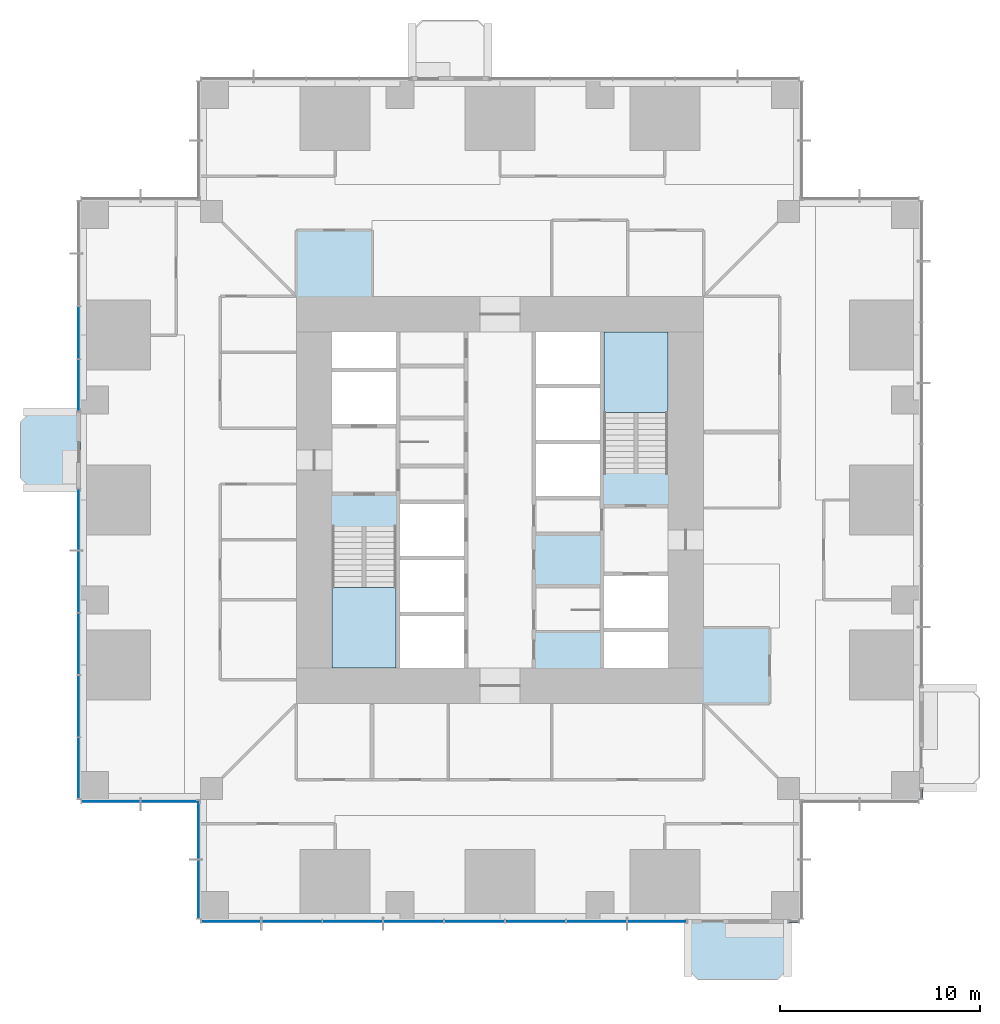
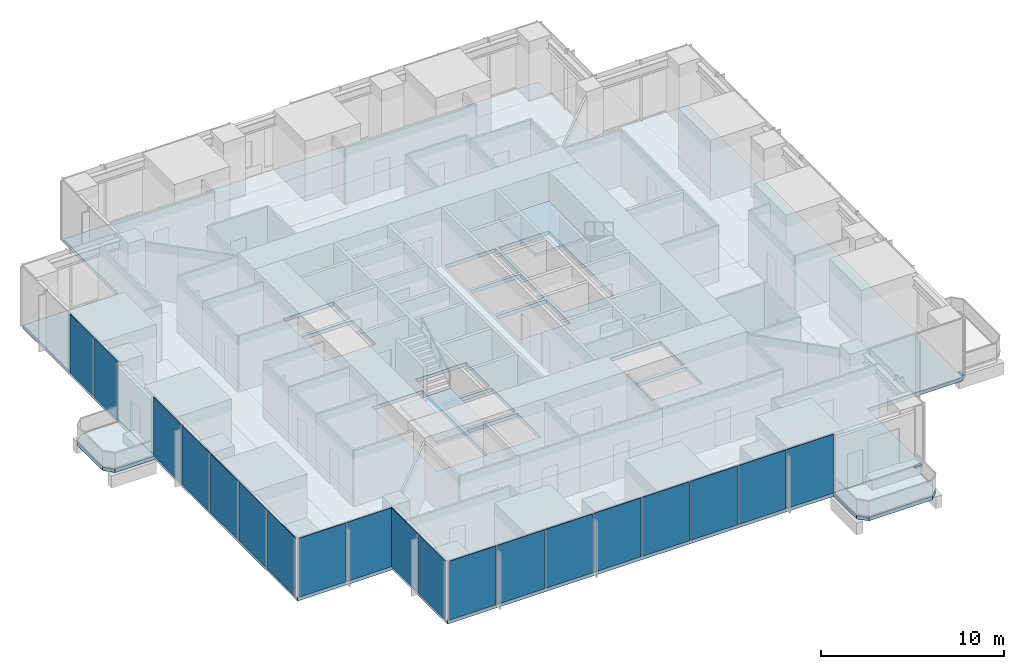
# One storey, part 7 of 15: 19 plates, 5 slabs, 2 members, 9 elements without a shape of their own.
"""IFC4 building model written with IfcOpenShell, lengths in metres."""

from ifc_helpers import new_model, si_unit, direction, frame, origin, origin_2d, place, context, subcontext, project, spatial, polyline, rectangle, outline, extrude, material, layer, layer_set, material_profile, profile_set, type_object, element, aggregate, save


model = new_model("IFC4")

# Units and contexts
model_context = context("Model", 3, precision=1e-05, world=origin(), true_north=direction((0.0, 1.0)))
body_context = subcontext(model_context, "Body", "Model", "MODEL_VIEW")
ifc_project = project(units=[si_unit("LENGTHUNIT", "METRE"), si_unit("AREAUNIT", "SQUARE_METRE"), si_unit("VOLUMEUNIT", "CUBIC_METRE"), si_unit("PLANEANGLEUNIT", "RADIAN"), si_unit("MASSUNIT", "GRAM", prefix="KILO")], contexts=[model_context])

# Site, building, storey
site_placement = place(None, origin())
site = spatial("IfcSite", under=ifc_project, at=site_placement, CompositionType="ELEMENT")
building_placement = place(site_placement, origin())
building = spatial("IfcBuilding", under=site, at=building_placement, Name="Svetlomir Tower", CompositionType="ELEMENT")
storey_placement = place(building_placement, frame((0.0, 0.0, 74.5)))
storey = spatial("IfcBuildingStorey", under=building, at=storey_placement, Name="L17", CompositionType="ELEMENT", Elevation=74.5)

# Curtain wall, member
ifc_material_1 = material(Name="Bronze anodised aluminium curtain wall", Category="aluminium")
curtain_wall_type = type_object("IfcCurtainWallType", Name="CURTAIN WALL CW1 TOWER OFFICE", PredefinedType="NOTDEFINED", material=ifc_material_1)
curtain_wall_1_placement = place(storey_placement, origin())
curtain_wall_1 = element("IfcCurtainWall", 1, at=curtain_wall_1_placement, inside=storey, type_object=curtain_wall_type, Name="Curtain wall CW1 L17", PredefinedType="NOTDEFINED")
ifc_material_2 = material(Name="Bronze anodised aluminium", Category="aluminium")
ifc_material_profile = material_profile(ifc_material_2, rectangle(XDim=0.139892578125, YDim=0.06494140625, at=origin_2d()), Name="AL 140x65")
ifc_profile_set = profile_set([ifc_material_profile], Name="Bronze anodised aluminium 6063-T6")
member_type = type_object("IfcMemberType", Name="CW1 TRANSOM 65x140", PredefinedType="USERDEFINED", material=ifc_profile_set)
member_1_placement = place(storey_placement, frame((35.465087890625, -0.10009765625, 0.032470703125), z_axis=(1.0, 0.0, 0.0), x_axis=(0.0, 1.0, 0.0)))
member_1 = element("IfcMember", 2, at=member_1_placement, type_object=member_type, Name="CW1 transom 1.1", ObjectType="TRANSOM", PredefinedType="USERDEFINED", context=body_context, shape_type="SweptSolid", body=[
    extrude(rectangle(XDim=0.139892578125, YDim=0.06494140625, at=origin_2d()), origin(), (0.0, 0.0, 1.0), 0.469970703125),
])
aggregate(curtain_wall_1, [member_1])

curtain_wall_2_placement = place(storey_placement, origin())
curtain_wall_2 = element("IfcCurtainWall", 3, at=curtain_wall_2_placement, inside=storey, type_object=curtain_wall_type, Name="Curtain wall CW1 L17", PredefinedType="NOTDEFINED")
member_2_placement = place(storey_placement, frame((42.10009765625, 6.06494140625, 0.032470703125), z_axis=(0.0, 1.0, 0.0), x_axis=(-1.0, 0.0, 0.0)))
member_2 = element("IfcMember", 4, at=member_2_placement, type_object=member_type, Name="CW1 transom 1.1", ObjectType="TRANSOM", PredefinedType="USERDEFINED", context=body_context, shape_type="SweptSolid", body=[
    extrude(rectangle(XDim=0.139892578125, YDim=0.06494140625, at=origin_2d()), origin(), (0.0, 0.0, 1.0), 0.469970703125),
])
aggregate(curtain_wall_2, [member_2])

# Slabs
ifc_material_3 = material(Name="Concrete C60/75", Category="concrete")
ifc_layer_1 = layer(ifc_material_3, 0.25)
ifc_layer_set_1 = layer_set([ifc_layer_1], Name="Concrete C60/75")
slab_type_1 = type_object("IfcSlabType", Name="BALCONY SLAB 250", PredefinedType="FLOOR", material=ifc_layer_set_1)
slab_1_placement = place(storey_placement, frame((0.0, 0.0, -0.25)))
element("IfcSlab", 5, at=slab_1_placement, inside=storey, type_object=slab_type_1, Name="L17 S planted balcony", PredefinedType="FLOOR", context=body_context, shape_type="SweptSolid", body=[
    extrude(outline(polyline([(30.39990234375, -2.5), (30.89990234375, -3.0), (34.89990234375, -3.0), (35.39990234375, -2.5), (35.39990234375, 0.0), (30.39990234375, 0.0), (30.39990234375, -2.5)])), origin(), (0.0, 0.0, 1.0), 0.25),
])
slab_2_placement = place(storey_placement, frame((0.0, 0.0, -0.25)))
element("IfcSlab", 6, at=slab_2_placement, inside=storey, type_object=slab_type_1, Name="L17 W planted balcony", PredefinedType="FLOOR", context=body_context, shape_type="SweptSolid", body=[
    extrude(outline(polyline([(-2.5, 21.60009765625), (0.0, 21.60009765625), (0.0, 25.39990234375), (-2.5, 25.39990234375), (-3.0, 24.89990234375), (-3.0, 22.10009765625), (-2.5, 21.60009765625)])), origin(), (0.0, 0.0, 1.0), 0.25),
])

# Curtain wall, plates
curtain_wall_3_placement = place(storey_placement, origin())
curtain_wall_3 = element("IfcCurtainWall", 7, at=curtain_wall_3_placement, inside=storey, type_object=curtain_wall_type, Name="Curtain wall CW1 L17", PredefinedType="NOTDEFINED")
ifc_material_4 = material(Name="Tinted double glazed unit", Category="glass")
ifc_layer_2 = layer(ifc_material_4, 0.031982421875)
ifc_layer_set_2 = layer_set([ifc_layer_2], Name="Tinted double glazed unit")
plate_type = type_object("IfcPlateType", Name="CW1 GLAZED PANEL 32", PredefinedType="CURTAIN_PANEL", material=ifc_layer_set_2)
plate_1_placement = place(storey_placement, frame((7.541259765625, -0.10009765625, 0.06494140625), z_axis=(0.0, 0.0, 1.0), x_axis=(1.0, 0.0, 0.0)))
plate_1 = element("IfcPlate", 8, at=plate_1_placement, type_object=plate_type, Name="CW1 panel 1.1", PredefinedType="CURTAIN_PANEL", context=body_context, shape_type="SweptSolid", body=[
    extrude(rectangle(XDim=2.952392578125, YDim=0.031982421875, at=origin_2d()), origin(), (0.0, 0.0, 1.0), 3.93505859375),
])
plate_2_placement = place(storey_placement, frame((10.574951171875, -0.10009765625, 0.06494140625), z_axis=(0.0, 0.0, 1.0), x_axis=(1.0, 0.0, 0.0)))
plate_2 = element("IfcPlate", 9, at=plate_2_placement, type_object=plate_type, Name="CW1 panel 2.1", PredefinedType="CURTAIN_PANEL", context=body_context, shape_type="SweptSolid", body=[
    extrude(rectangle(XDim=2.985107421875, YDim=0.031982421875, at=origin_2d()), origin(), (0.0, 0.0, 1.0), 3.93505859375),
])
plate_3_placement = place(storey_placement, frame((13.625, -0.10009765625, 0.06494140625), z_axis=(0.0, 0.0, 1.0), x_axis=(1.0, 0.0, 0.0)))
plate_3 = element("IfcPlate", 10, at=plate_3_placement, type_object=plate_type, Name="CW1 panel 3.1", PredefinedType="CURTAIN_PANEL", context=body_context, shape_type="SweptSolid", body=[
    extrude(rectangle(XDim=2.985107421875, YDim=0.031982421875, at=origin_2d()), origin(), (0.0, 0.0, 1.0), 3.93505859375),
])
plate_4_placement = place(storey_placement, frame((16.675048828125, -0.10009765625, 0.06494140625), z_axis=(0.0, 0.0, 1.0), x_axis=(1.0, 0.0, 0.0)))
plate_4 = element("IfcPlate", 11, at=plate_4_placement, type_object=plate_type, Name="CW1 panel 4.1", PredefinedType="CURTAIN_PANEL", context=body_context, shape_type="SweptSolid", body=[
    extrude(rectangle(XDim=2.985107421875, YDim=0.031982421875, at=origin_2d()), origin(), (0.0, 0.0, 1.0), 3.93505859375),
])
plate_5_placement = place(storey_placement, frame((19.72509765625, -0.10009765625, 0.06494140625), z_axis=(0.0, 0.0, 1.0), x_axis=(1.0, 0.0, 0.0)))
plate_5 = element("IfcPlate", 12, at=plate_5_placement, type_object=plate_type, Name="CW1 panel 5.1", PredefinedType="CURTAIN_PANEL", context=body_context, shape_type="SweptSolid", body=[
    extrude(rectangle(XDim=2.985107421875, YDim=0.031982421875, at=origin_2d()), origin(), (0.0, 0.0, 1.0), 3.93505859375),
])
plate_6_placement = place(storey_placement, frame((22.77490234375, -0.10009765625, 0.06494140625), z_axis=(0.0, 0.0, 1.0), x_axis=(1.0, 0.0, 0.0)))
plate_6 = element("IfcPlate", 13, at=plate_6_placement, type_object=plate_type, Name="CW1 panel 6.1", PredefinedType="CURTAIN_PANEL", context=body_context, shape_type="SweptSolid", body=[
    extrude(rectangle(XDim=2.985107421875, YDim=0.031982421875, at=origin_2d()), origin(), (0.0, 0.0, 1.0), 3.93505859375),
])
plate_7_placement = place(storey_placement, frame((25.824951171875, -0.10009765625, 0.06494140625), z_axis=(0.0, 0.0, 1.0), x_axis=(1.0, 0.0, 0.0)))
plate_7 = element("IfcPlate", 14, at=plate_7_placement, type_object=plate_type, Name="CW1 panel 7.1", PredefinedType="CURTAIN_PANEL", context=body_context, shape_type="SweptSolid", body=[
    extrude(rectangle(XDim=2.985107421875, YDim=0.031982421875, at=origin_2d()), origin(), (0.0, 0.0, 1.0), 3.93505859375),
])
plate_8_placement = place(storey_placement, frame((28.858642578125, -0.10009765625, 0.06494140625), z_axis=(0.0, 0.0, 1.0), x_axis=(1.0, 0.0, 0.0)))
plate_8 = element("IfcPlate", 15, at=plate_8_placement, type_object=plate_type, Name="CW1 panel 8.1", PredefinedType="CURTAIN_PANEL", context=body_context, shape_type="SweptSolid", body=[
    extrude(rectangle(XDim=2.952392578125, YDim=0.031982421875, at=origin_2d()), origin(), (0.0, 0.0, 1.0), 3.93505859375),
])
aggregate(curtain_wall_3, [plate_1, plate_2, plate_3, plate_4, plate_5, plate_6, plate_7, plate_8])

curtain_wall_4_placement = place(storey_placement, origin())
curtain_wall_4 = element("IfcCurtainWall", 16, at=curtain_wall_4_placement, inside=storey, type_object=curtain_wall_type, Name="Curtain wall CW1 L17", PredefinedType="NOTDEFINED")
plate_9_placement = place(storey_placement, frame((-0.10009765625, 29.375, 0.06494140625), z_axis=(0.0, 0.0, 1.0), x_axis=(0.0, -1.0, 0.0)))
plate_9 = element("IfcPlate", 17, at=plate_9_placement, type_object=plate_type, Name="CW1 panel 3.1", PredefinedType="CURTAIN_PANEL", context=body_context, shape_type="SweptSolid", body=[
    extrude(rectangle(XDim=2.5849609375, YDim=0.031982421875, at=origin_2d()), origin(), (0.0, 0.0, 1.0), 3.93505859375),
])
plate_10_placement = place(storey_placement, frame((-0.10009765625, 26.7412109375, 0.06494140625), z_axis=(0.0, 0.0, 1.0), x_axis=(0.0, -1.0, 0.0)))
plate_10 = element("IfcPlate", 18, at=plate_10_placement, type_object=plate_type, Name="CW1 panel 4.1", PredefinedType="CURTAIN_PANEL", context=body_context, shape_type="SweptSolid", body=[
    extrude(rectangle(XDim=2.552490234375, YDim=0.031982421875, at=origin_2d()), origin(), (0.0, 0.0, 1.0), 3.93505859375),
])
aggregate(curtain_wall_4, [plate_9, plate_10])

curtain_wall_5_placement = place(storey_placement, origin())
curtain_wall_5 = element("IfcCurtainWall", 19, at=curtain_wall_5_placement, inside=storey, type_object=curtain_wall_type, Name="Curtain wall CW1 L17", PredefinedType="NOTDEFINED")
plate_11_placement = place(storey_placement, frame((-0.10009765625, 20.023681640625, 0.06494140625), z_axis=(0.0, 0.0, 1.0), x_axis=(0.0, -1.0, 0.0)))
plate_11 = element("IfcPlate", 20, at=plate_11_placement, type_object=plate_type, Name="CW1 panel 1.1", PredefinedType="CURTAIN_PANEL", context=body_context, shape_type="SweptSolid", body=[
    extrude(rectangle(XDim=3.0224609375, YDim=0.031982421875, at=origin_2d()), origin(), (0.0, 0.0, 1.0), 3.93505859375),
])
plate_12_placement = place(storey_placement, frame((-0.10009765625, 16.919921875, 0.06494140625), z_axis=(0.0, 0.0, 1.0), x_axis=(0.0, -1.0, 0.0)))
plate_12 = element("IfcPlate", 21, at=plate_12_placement, type_object=plate_type, Name="CW1 panel 2.1", PredefinedType="CURTAIN_PANEL", context=body_context, shape_type="SweptSolid", body=[
    extrude(rectangle(XDim=3.054931640625, YDim=0.031982421875, at=origin_2d()), origin(), (0.0, 0.0, 1.0), 3.93505859375),
])
plate_13_placement = place(storey_placement, frame((-0.10009765625, 13.800048828125, 0.06494140625), z_axis=(0.0, 0.0, 1.0), x_axis=(0.0, -1.0, 0.0)))
plate_13 = element("IfcPlate", 22, at=plate_13_placement, type_object=plate_type, Name="CW1 panel 3.1", PredefinedType="CURTAIN_PANEL", context=body_context, shape_type="SweptSolid", body=[
    extrude(rectangle(XDim=3.054931640625, YDim=0.031982421875, at=origin_2d()), origin(), (0.0, 0.0, 1.0), 3.93505859375),
])
plate_14_placement = place(storey_placement, frame((-0.10009765625, 10.679931640625, 0.06494140625), z_axis=(0.0, 0.0, 1.0), x_axis=(0.0, -1.0, 0.0)))
plate_14 = element("IfcPlate", 23, at=plate_14_placement, type_object=plate_type, Name="CW1 panel 4.1", PredefinedType="CURTAIN_PANEL", context=body_context, shape_type="SweptSolid", body=[
    extrude(rectangle(XDim=3.054931640625, YDim=0.031982421875, at=origin_2d()), origin(), (0.0, 0.0, 1.0), 3.93505859375),
])
plate_15_placement = place(storey_placement, frame((-0.10009765625, 7.576171875, 0.06494140625), z_axis=(0.0, 0.0, 1.0), x_axis=(0.0, -1.0, 0.0)))
plate_15 = element("IfcPlate", 24, at=plate_15_placement, type_object=plate_type, Name="CW1 panel 5.1", PredefinedType="CURTAIN_PANEL", context=body_context, shape_type="SweptSolid", body=[
    extrude(rectangle(XDim=3.0224609375, YDim=0.031982421875, at=origin_2d()), origin(), (0.0, 0.0, 1.0), 3.93505859375),
])
aggregate(curtain_wall_5, [plate_11, plate_12, plate_13, plate_14, plate_15])

curtain_wall_6_placement = place(storey_placement, origin())
curtain_wall_6 = element("IfcCurtainWall", 25, at=curtain_wall_6_placement, inside=storey, type_object=curtain_wall_type, Name="Curtain wall CW1 L17", PredefinedType="NOTDEFINED")
plate_16_placement = place(storey_placement, frame((1.516357421875, 5.89990234375, 0.06494140625), z_axis=(0.0, 0.0, 1.0), x_axis=(1.0, 0.0, 0.0)))
plate_16 = element("IfcPlate", 26, at=plate_16_placement, type_object=plate_type, Name="CW1 panel 1.1", PredefinedType="CURTAIN_PANEL", context=body_context, shape_type="SweptSolid", body=[
    extrude(rectangle(XDim=2.902587890625, YDim=0.031982421875, at=origin_2d()), origin(), (0.0, 0.0, 1.0), 3.93505859375),
])
plate_17_placement = place(storey_placement, frame((4.483642578125, 5.89990234375, 0.06494140625), z_axis=(0.0, 0.0, 1.0), x_axis=(1.0, 0.0, 0.0)))
plate_17 = element("IfcPlate", 27, at=plate_17_placement, type_object=plate_type, Name="CW1 panel 2.1", PredefinedType="CURTAIN_PANEL", context=body_context, shape_type="SweptSolid", body=[
    extrude(rectangle(XDim=2.902587890625, YDim=0.031982421875, at=origin_2d()), origin(), (0.0, 0.0, 1.0), 3.93505859375),
])
aggregate(curtain_wall_6, [plate_16, plate_17])

curtain_wall_7_placement = place(storey_placement, origin())
curtain_wall_7 = element("IfcCurtainWall", 28, at=curtain_wall_7_placement, inside=storey, type_object=curtain_wall_type, Name="Curtain wall CW1 L17", PredefinedType="NOTDEFINED")
plate_18_placement = place(storey_placement, frame((5.89990234375, 4.483642578125, 0.06494140625), z_axis=(0.0, 0.0, 1.0), x_axis=(0.0, -1.0, 0.0)))
plate_18 = element("IfcPlate", 29, at=plate_18_placement, type_object=plate_type, Name="CW1 panel 1.1", PredefinedType="CURTAIN_PANEL", context=body_context, shape_type="SweptSolid", body=[
    extrude(rectangle(XDim=2.902587890625, YDim=0.031982421875, at=origin_2d()), origin(), (0.0, 0.0, 1.0), 3.93505859375),
])
plate_19_placement = place(storey_placement, frame((5.89990234375, 1.516357421875, 0.06494140625), z_axis=(0.0, 0.0, 1.0), x_axis=(0.0, -1.0, 0.0)))
plate_19 = element("IfcPlate", 30, at=plate_19_placement, type_object=plate_type, Name="CW1 panel 2.1", PredefinedType="CURTAIN_PANEL", context=body_context, shape_type="SweptSolid", body=[
    extrude(rectangle(XDim=2.902587890625, YDim=0.031982421875, at=origin_2d()), origin(), (0.0, 0.0, 1.0), 3.93505859375),
])
aggregate(curtain_wall_7, [plate_18, plate_19])

# Slab
ifc_material_5 = material(Name="Concrete C60/75", Category="concrete")
ifc_layer_3 = layer(ifc_material_5, 0.25)
ifc_layer_set_3 = layer_set([ifc_layer_3], Name="Concrete C60/75")
slab_type_2 = type_object("IfcSlabType", Name="FLOOR SLAB 250", PredefinedType="FLOOR", material=ifc_layer_set_3)
slab_3_placement = place(storey_placement, frame((0.0, 0.0, -0.25)))
element("IfcSlab", 31, at=slab_3_placement, inside=storey, type_object=slab_type_2, Name="L17 floor slab", PredefinedType="FLOOR", context=body_context, shape_type="SweptSolid", body=[
    extrude(outline(polyline([(6.0, 0.0), (36.0, 0.0), (36.0, 6.0), (42.0, 6.0), (42.0, 36.0), (36.0, 36.0), (36.0, 42.0), (6.0, 42.0), (6.0, 36.0), (0.0, 36.0), (0.0, 6.0), (6.0, 6.0), (6.0, 0.0)]), holes=[polyline([(12.60009765625, 24.800048828125), (15.800048828125, 24.800048828125), (15.800048828125, 27.39990234375), (12.60009765625, 27.39990234375), (12.60009765625, 24.800048828125)]), polyline([(26.199951171875, 14.60009765625), (29.39990234375, 14.60009765625), (29.39990234375, 17.199951171875), (26.199951171875, 17.199951171875), (26.199951171875, 14.60009765625)]), polyline([(16.0, 12.60009765625), (19.199951171875, 12.60009765625), (19.199951171875, 15.199951171875), (16.0, 15.199951171875), (16.0, 12.60009765625)]), polyline([(16.0, 15.39990234375), (19.199951171875, 15.39990234375), (19.199951171875, 18.0), (16.0, 18.0), (16.0, 15.39990234375)]), polyline([(16.0, 18.199951171875), (19.199951171875, 18.199951171875), (19.199951171875, 20.800048828125), (16.0, 20.800048828125), (16.0, 18.199951171875)]), polyline([(22.800048828125, 21.199951171875), (26.0, 21.199951171875), (26.0, 23.800048828125), (22.800048828125, 23.800048828125), (22.800048828125, 21.199951171875)]), polyline([(22.800048828125, 24.0), (26.0, 24.0), (26.0, 26.60009765625), (22.800048828125, 26.60009765625), (22.800048828125, 24.0)]), polyline([(22.800048828125, 26.800048828125), (26.0, 26.800048828125), (26.0, 29.39990234375), (22.800048828125, 29.39990234375), (22.800048828125, 26.800048828125)]), polyline([(12.60009765625, 27.60009765625), (15.800048828125, 27.60009765625), (15.800048828125, 29.39990234375), (12.60009765625, 29.39990234375), (12.60009765625, 27.60009765625)]), polyline([(26.199951171875, 12.60009765625), (29.39990234375, 12.60009765625), (29.39990234375, 14.39990234375), (26.199951171875, 14.39990234375), (26.199951171875, 12.60009765625)]), polyline([(12.60009765625, 12.60009765625), (15.800048828125, 12.60009765625), (15.800048828125, 19.679931640625), (12.60009765625, 19.679931640625), (12.60009765625, 12.60009765625)]), polyline([(26.199951171875, 22.320068359375), (29.39990234375, 22.320068359375), (29.39990234375, 29.39990234375), (26.199951171875, 29.39990234375), (26.199951171875, 22.320068359375)])]), origin(), (0.0, 0.0, 1.0), 0.25),
])

# Stair, slab
ifc_material_6 = material(Name="Concrete C60/75", Category="concrete")
stair_type = type_object("IfcStairType", Name="EXIT STAIR 3200 RISE 4000", PredefinedType="HALF_TURN_STAIR", material=ifc_material_6)
stair_1_placement = place(storey_placement, origin())
stair_1 = element("IfcStair", 32, at=stair_1_placement, inside=storey, type_object=stair_type, Name="Stair S1 L17 to L18", PredefinedType="HALF_TURN_STAIR")
ifc_material_7 = material(Name="Concrete C60/75", Category="concrete")
ifc_layer_4 = layer(ifc_material_7, 0.199951171875)
ifc_layer_set_4 = layer_set([ifc_layer_4], Name="Concrete C60/75")
slab_type_3 = type_object("IfcSlabType", Name="STAIR LANDING 200", PredefinedType="LANDING", material=ifc_layer_set_4)
slab_4_placement = place(storey_placement, frame((0.0, 0.0, 1.800048828125)))
slab_4 = element("IfcSlab", 33, at=slab_4_placement, type_object=slab_type_3, Name="S1 landing 1", PredefinedType="LANDING", context=body_context, shape_type="SweptSolid", body=[
    extrude(outline(polyline([(12.60009765625, 12.60009765625), (15.800048828125, 12.60009765625), (15.800048828125, 16.6201171875), (12.60009765625, 16.6201171875), (12.60009765625, 12.60009765625)])), origin(), (0.0, 0.0, 1.0), 0.199951171875),
])
aggregate(stair_1, [slab_4])

stair_2_placement = place(storey_placement, origin())
stair_2 = element("IfcStair", 34, at=stair_2_placement, inside=storey, type_object=stair_type, Name="Stair S2 L17 to L18", PredefinedType="HALF_TURN_STAIR")
slab_5_placement = place(storey_placement, frame((0.0, 0.0, 1.800048828125)))
slab_5 = element("IfcSlab", 35, at=slab_5_placement, type_object=slab_type_3, Name="S2 landing 1", PredefinedType="LANDING", context=body_context, shape_type="SweptSolid", body=[
    extrude(outline(polyline([(26.199951171875, 25.3798828125), (29.39990234375, 25.3798828125), (29.39990234375, 29.39990234375), (26.199951171875, 29.39990234375), (26.199951171875, 25.3798828125)])), origin(), (0.0, 0.0, 1.0), 0.199951171875),
])
aggregate(stair_2, [slab_5])

save(model, "model.ifc")
